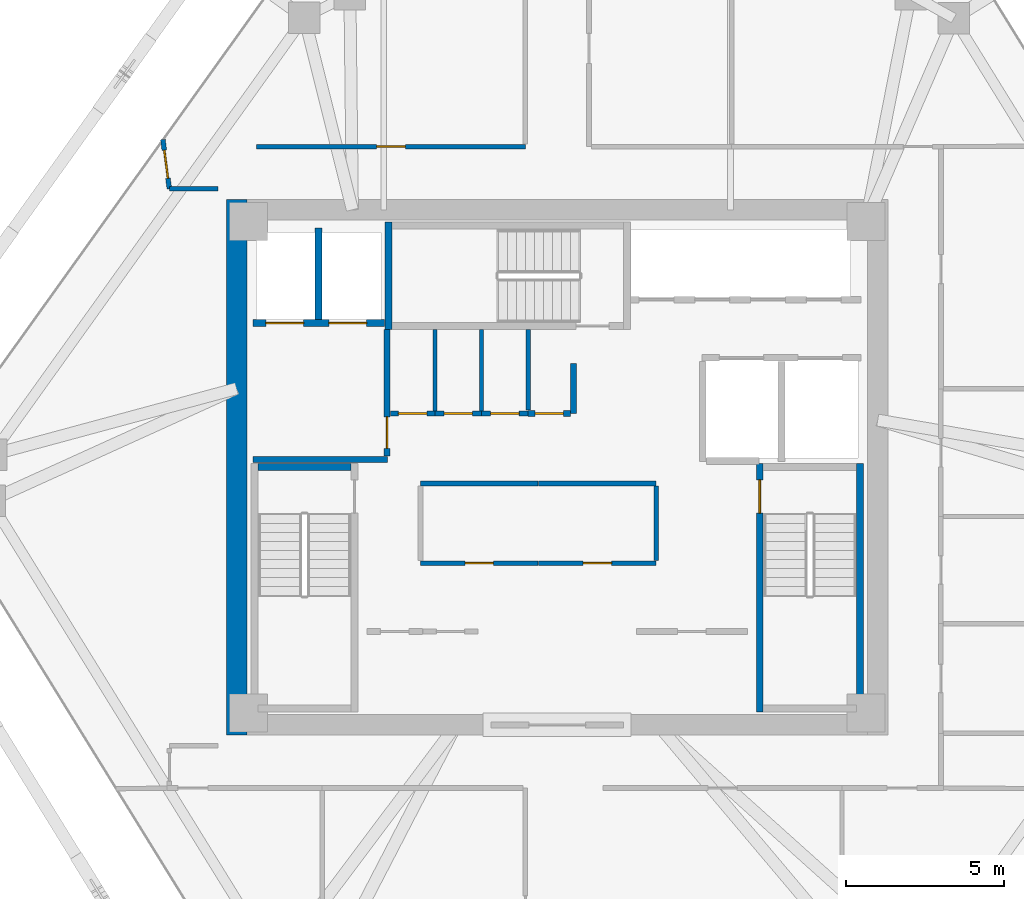
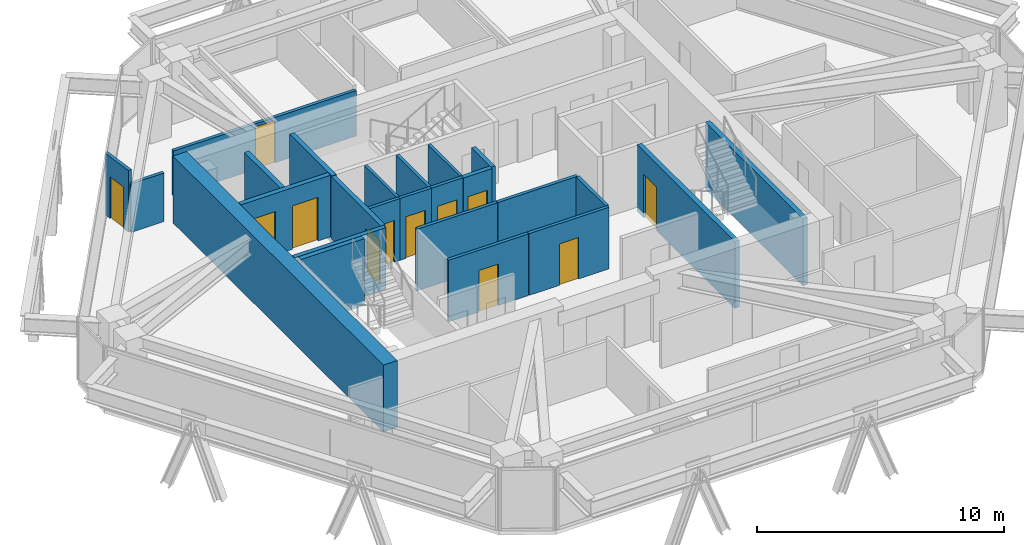
# One storey, part 11 of 14: 25 walls, 12 doors, 12 openings.
"""IFC4 building model written with IfcOpenShell, lengths in metres."""

import ifcopenshell
import ifcopenshell.guid

model = None  # the IFC model being written
_history = None  # IfcOwnerHistory: only IFC2X3 demands one
_inside = {}  # id of a spatial element -> (the spatial element, [elements in it])
_under = {}  # id of a project, library or spatial element -> (it, [spatial elements below it])
_declared = {}  # id of a project -> (the project, [libraries it declares])
_typed = {}  # id of a type object -> (the type object, [elements of that type])
_made_of = {}  # id of a material, layer set ... -> (it, [elements and type objects made of it])


def new_model(schema):
    """Start an empty IFC model of exactly this schema.

    Asked for "IFC4X3", IfcOpenShell would pick the latest addendum, in which some entities
    have other attributes; the version numbers below select the first issue.
    IFC2X3 requires an IfcOwnerHistory on every rooted entity: one is made here for all.
    """
    global model, _history
    if schema == "IFC4X3":
        model = ifcopenshell.file(schema_version=(4, 3, 0, 0))
    else:
        model = ifcopenshell.file(schema=schema)
    _inside.clear()
    _under.clear()
    _declared.clear()
    _typed.clear()
    _made_of.clear()
    _history = None
    if model.schema == "IFC2X3":
        org = make("IfcOrganization", Name="unknown")
        user = make(
            "IfcPersonAndOrganization",
            ThePerson=make("IfcPerson", FamilyName="unknown"),
            TheOrganization=org,
        )
        app = make(
            "IfcApplication",
            ApplicationDeveloper=org,
            Version="unknown",
            ApplicationFullName="unknown",
            ApplicationIdentifier="unknown",
        )
        _history = make(
            "IfcOwnerHistory",
            OwningUser=user,
            OwningApplication=app,
            ChangeAction="ADDED",
            CreationDate=0,
        )
    return model


def make(cls, **values):
    """One entity of the class cls with the attributes given. An attribute that is None is left unset."""
    return model.create_entity(
        cls, **{name: value for name, value in values.items() if value is not None}
    )


def rooted(cls, **values):
    """An entity with a GlobalId (a new one), such as an element, a storey or a relation."""
    return make(cls, GlobalId=ifcopenshell.guid.new(), OwnerHistory=_history, **values)


def si_unit(unit_type, name, prefix=None):
    """IfcSIUnit, for example si_unit("LENGTHUNIT", "METRE", prefix="MILLI")."""
    return make("IfcSIUnit", UnitType=unit_type, Prefix=prefix, Name=name)


def assignment(units):
    """IfcUnitAssignment: the units of a project."""
    return None if units is None else make("IfcUnitAssignment", Units=units)


def point(xyz):
    """IfcCartesianPoint."""
    return None if xyz is None else make("IfcCartesianPoint", Coordinates=xyz)


def direction(xyz):
    """IfcDirection."""
    return None if xyz is None else make("IfcDirection", DirectionRatios=xyz)


def frame(location, z_axis=None, x_axis=None):
    """IfcAxis2Placement3D, a coordinate frame: its origin and axes. An axis left out is left unset."""
    return make(
        "IfcAxis2Placement3D",
        Location=point(location),
        Axis=direction(z_axis),
        RefDirection=direction(x_axis),
    )


def frame_2d(location, x_axis=None):
    """IfcAxis2Placement2D, a coordinate frame in the plane: its origin and x axis."""
    return make(
        "IfcAxis2Placement2D", Location=point(location), RefDirection=direction(x_axis)
    )


def origin():
    """The frame at (0, 0, 0) with its axes left unset."""
    return frame((0.0, 0.0, 0.0))


def place(relative_to, where):
    """IfcLocalPlacement: puts the frame where relative to a parent placement (None: the world)."""
    return make(
        "IfcLocalPlacement", PlacementRelTo=relative_to, RelativePlacement=where
    )


def context(
    kind, dimensions, precision=None, world=None, true_north=None, identifier=None
):
    """IfcGeometricRepresentationContext, for example the 3D "Model" context."""
    return make(
        "IfcGeometricRepresentationContext",
        ContextIdentifier=identifier,
        ContextType=kind,
        CoordinateSpaceDimension=dimensions,
        Precision=precision,
        WorldCoordinateSystem=world,
        TrueNorth=true_north,
    )


def subcontext(parent, identifier, kind, view, scale=None):
    """IfcGeometricRepresentationSubContext, for example "Body" below "Model"."""
    return make(
        "IfcGeometricRepresentationSubContext",
        ContextIdentifier=identifier,
        ContextType=kind,
        ParentContext=parent,
        TargetScale=scale,
        TargetView=view,
    )


def project(units=None, contexts=None):
    """IfcProject with its units and contexts."""
    return rooted(
        "IfcProject",
        Name="project",
        RepresentationContexts=contexts,
        UnitsInContext=assignment(units),
    )


def spatial(cls, under=None, at=None, **own):
    """A site, building, storey or space (cls), placed at a placement, below another one or the project."""
    s = rooted(cls, ObjectPlacement=at, **own)
    if under is not None:
        _under.setdefault(under.id(), (under, []))[1].append(s)
    return s


def profile(cls, at=None, kind="AREA", **sizes):
    """A parametric profile (cls). Its sizes go by their IFC names, for example OverallWidth=200.0."""
    return make(cls, ProfileType=kind, Position=at, **sizes)


def rectangle(**sizes):
    """IfcRectangleProfileDef."""
    return profile("IfcRectangleProfileDef", **sizes)


def extrude(swept, where, along, depth):
    """IfcExtrudedAreaSolid: the profile swept, set in the frame where, extruded along a direction by depth."""
    return make(
        "IfcExtrudedAreaSolid",
        SweptArea=swept,
        Position=where,
        ExtrudedDirection=direction(along),
        Depth=depth,
    )


def shape(context_of_items, identifier, shape_type, items):
    """IfcShapeRepresentation: the items that make up one representation, for example the "Body"."""
    return make(
        "IfcShapeRepresentation",
        ContextOfItems=context_of_items,
        RepresentationIdentifier=identifier,
        RepresentationType=shape_type,
        Items=items,
    )


def source(mapping_origin, context_of_items, identifier, shape_type, items):
    """IfcRepresentationMap: a shape defined once, which mapped items show again and again."""
    return make(
        "IfcRepresentationMap",
        MappingOrigin=mapping_origin,
        MappedRepresentation=shape(context_of_items, identifier, shape_type, items),
    )


def transform(
    local_origin,
    x_axis=None,
    y_axis=None,
    z_axis=None,
    scale=None,
    scale2=None,
    scale3=None,
    uniform=True,
):
    """IfcCartesianTransformationOperator3D, or its non-uniform kind. x_axis, y_axis, z_axis: its Axis1, 2, 3."""
    if uniform:
        return make(
            "IfcCartesianTransformationOperator3D",
            Axis1=direction(x_axis),
            Axis2=direction(y_axis),
            LocalOrigin=point(local_origin),
            Scale=scale,
            Axis3=direction(z_axis),
        )
    return make(
        "IfcCartesianTransformationOperator3DnonUniform",
        Axis1=direction(x_axis),
        Axis2=direction(y_axis),
        LocalOrigin=point(local_origin),
        Scale=scale,
        Axis3=direction(z_axis),
        Scale2=scale2,
        Scale3=scale3,
    )


def mapped(mapping_source, mapping_target):
    """IfcMappedItem: shows the shape of a source again, moved by a transform."""
    return make(
        "IfcMappedItem", MappingSource=mapping_source, MappingTarget=mapping_target
    )


def material(Name=None, Category=None):
    """IfcMaterial."""
    return make("IfcMaterial", Name=Name, Category=Category)


def layer(
    of_material, thickness, ventilated=None, Name=None, Category=None, Priority=None
):
    """IfcMaterialLayer: one layer of a wall or slab, of a material (None: an air gap)."""
    return make(
        "IfcMaterialLayer",
        Material=of_material,
        LayerThickness=thickness,
        IsVentilated=ventilated,
        Name=Name,
        Category=Category,
        Priority=Priority,
    )


def layer_set(layers, Name=None):
    """IfcMaterialLayerSet."""
    return make("IfcMaterialLayerSet", MaterialLayers=layers, LayerSetName=Name)


def made_of(thing, what):
    """Note that an element or type object is made of a material, layer set ...; save() writes the relation."""
    if what is not None:
        _made_of.setdefault(what.id(), (what, []))[1].append(thing)
    return thing


def type_object(cls, material=None, **own):
    """A type object (cls), such as IfcWallType, which elements share."""
    return made_of(rooted(cls, **own), material)


def type_shapes(of_type, sources):
    """Give a type object the sources (RepresentationMaps) that its elements show as mapped items."""
    of_type.RepresentationMaps = sources


def element(
    cls,
    number,
    at=None,
    inside=None,
    cuts=None,
    type_object=None,
    material=None,
    context=None,
    identifier="Body",
    shape_type=None,
    held_by="IfcProductDefinitionShape",
    body=None,
    shapes=None,
    **own,
):
    """One element of the class cls, such as IfcWall. Its Tag is "e" and its number.

    at: its placement. inside: the storey or other place that contains it. cuts: it is an
    opening in that element (IfcRelVoidsElement). A single representation is given by context,
    identifier, shape_type and body (its items); several are given by shapes. held_by: the class
    of the entity that holds the representations. save() writes the other relations.
    """
    e = rooted(cls, Tag="e%d" % number, ObjectPlacement=at, **own)
    if body is not None:
        shapes = [shape(context, identifier, shape_type, body)]
    if shapes is not None:
        e.Representation = make(held_by, Representations=shapes)
    if inside is not None:
        _inside.setdefault(inside.id(), (inside, []))[1].append(e)
    if cuts is not None:
        rooted(
            "IfcRelVoidsElement", RelatingBuildingElement=cuts, RelatedOpeningElement=e
        )
    if type_object is not None:
        _typed.setdefault(type_object.id(), (type_object, []))[1].append(e)
    return made_of(e, material)


def fill(opening, filler):
    """IfcRelFillsElement: the door or window that sits in an opening."""
    return rooted(
        "IfcRelFillsElement",
        RelatingOpeningElement=opening,
        RelatedBuildingElement=filler,
    )


def aggregate(whole, parts):
    """IfcRelAggregates: a whole, such as a stair, and the parts it consists of."""
    return rooted("IfcRelAggregates", RelatingObject=whole, RelatedObjects=parts)


def save(model, path):
    """Write the relations noted so far, then the file.

    IfcRelAggregates (storeys below a building ...), IfcRelContainedInSpatialStructure (elements
    in a storey), IfcRelDefinesByType, IfcRelAssociatesMaterial and IfcRelDeclares: one each for
    every whole, place, type object, material and project.
    """
    for whole, parts in _under.values():
        aggregate(whole, parts)
    for where, things in _inside.values():
        rooted(
            "IfcRelContainedInSpatialStructure",
            RelatedElements=things,
            RelatingStructure=where,
        )
    for kind, things in _typed.values():
        rooted("IfcRelDefinesByType", RelatedObjects=things, RelatingType=kind)
    for what, things in _made_of.values():
        rooted("IfcRelAssociatesMaterial", RelatedObjects=things, RelatingMaterial=what)
    for by, libraries in _declared.values():
        rooted("IfcRelDeclares", RelatingContext=by, RelatedDefinitions=libraries)
    model.write(path)


model = new_model("IFC4")

# Units and contexts
model_context = context("Model", 3, precision=1e-05, world=origin(), true_north=direction((0.0, 1.0)))
body_context = subcontext(model_context, "Body", "Model", "MODEL_VIEW")
ifc_project = project(units=[si_unit("LENGTHUNIT", "METRE"), si_unit("AREAUNIT", "SQUARE_METRE"), si_unit("VOLUMEUNIT", "CUBIC_METRE"), si_unit("PLANEANGLEUNIT", "RADIAN"), si_unit("MASSUNIT", "GRAM", prefix="KILO")], contexts=[model_context])

# Site, building, storey
site_placement = place(None, origin())
site = spatial("IfcSite", under=ifc_project, at=site_placement, CompositionType="ELEMENT")
building_placement = place(site_placement, origin())
building = spatial("IfcBuilding", under=site, at=building_placement, Name="Durnholm Broadcast Tower", CompositionType="ELEMENT")
storey_placement = place(building_placement, frame((0.0, 0.0, 193.60009765625)))
storey = spatial("IfcBuildingStorey", under=building, at=storey_placement, Name="L53", CompositionType="ELEMENT", Elevation=193.60009765625)

# Walls
ifc_material_1 = material(Name="Concrete C70/85", Category="concrete")
ifc_layer_1 = layer(ifc_material_1, 0.64990234375)
ifc_layer_set_1 = layer_set([ifc_layer_1], Name="Concrete C70/85")
wall_type_1 = type_object("IfcWallType", Name="WALL-CW-650", PredefinedType="SHEAR", material=ifc_layer_set_1)
wall_1_placement = place(storey_placement, frame((-10.175048828125, -8.5, 0.0), z_axis=(0.0, 0.0, 1.0), x_axis=(0.0, 1.0, 0.0)))
element("IfcWall", 1, at=wall_1_placement, inside=storey, type_object=wall_type_1, Name="L53 central core shear wall CW-WEST", PredefinedType="SHEAR", context=body_context, shape_type="SweptSolid", body=[
    extrude(rectangle(XDim=17.0, YDim=0.64990234375, at=frame_2d((8.5, 0.0))), origin(), (0.0, 0.0, 1.0), 3.2998046875),
])
ifc_material_2 = material(Name="Fire-Rated Gypsum Shaftwall", Category="concrete")
ifc_layer_2 = layer(ifc_material_2, 0.199951171875)
ifc_layer_set_2 = layer_set([ifc_layer_2], Name="Fire-Rated Gypsum Shaftwall")
wall_type_2 = type_object("IfcWallType", Name="WALL-LOB-200", PredefinedType="SOLIDWALL", material=ifc_layer_set_2)
wall_2_placement = place(storey_placement, frame((-9.64990234375, 0.25, 0.0), z_axis=(0.0, 0.0, 1.0), x_axis=(1.0, 0.0, 0.0)))
element("IfcWall", 2, at=wall_2_placement, inside=storey, type_object=wall_type_2, Name="L53 Fire Service Access Elevator lobby south wall", PredefinedType="SOLIDWALL", context=body_context, shape_type="SweptSolid", body=[
    extrude(rectangle(XDim=4.27001953125, YDim=0.199951171875, at=frame_2d((2.135009765625, 0.0))), origin(), (0.0, 0.0, 1.0), 3.044921875),
])

# Wall, opening, door
wall_3_placement = place(storey_placement, frame((-5.39990234375, 0.35400390625, 0.0), z_axis=(0.0, 0.0, 1.0), x_axis=(0.0, 1.0, 0.0)))
wall_3 = element("IfcWall", 3, at=wall_3_placement, inside=storey, type_object=wall_type_2, Name="L53 Fire Service Access Elevator lobby east fire wall", PredefinedType="SOLIDWALL", context=body_context, shape_type="SweptSolid", body=[
    extrude(rectangle(XDim=4.02587890625, YDim=0.199951171875, at=frame_2d((2.012939453125, 0.0))), origin(), (0.0, 0.0, 1.0), 3.044921875),
])
opening_1_placement = place(wall_3_placement, frame((0.24609375, 0.0, 0.0)))
opening_1 = element("IfcOpeningElement", 4, at=opening_1_placement, cuts=wall_3, Name="Opening DL-60R", PredefinedType="OPENING", context=body_context, shape_type="SweptSolid", body=[
    extrude(rectangle(XDim=1.0, YDim=2.14990234375, at=frame_2d((0.5, 1.074951171875))), frame((0.0, 0.10986328125, 0.0), z_axis=(0.0, -1.0, 0.0), x_axis=(1.0, 0.0, 0.0)), (0.0, 0.0, 1.0), 0.219970703125),
])
ifc_material_3 = material(Name="Fire-Rated Timber/Steel Door", Category="steel")
ifc_layer_3 = layer(ifc_material_3, 0.050048828125)
ifc_layer_set_3 = layer_set([ifc_layer_3], Name="Fire-Rated Timber/Steel Door")
door_type_1 = type_object("IfcDoorType", Name="DOOR-LOB-FD60-R", OperationType="NOTDEFINED", PredefinedType="DOOR", material=ifc_layer_set_3)
shared_shape_1 = source(origin(), body_context, "Body", "SweptSolid", [
    extrude(rectangle(XDim=1.0, YDim=2.14990234375, at=frame_2d((0.5, 1.074951171875))), frame((0.0, 0.02490234375, 0.0), z_axis=(0.0, -1.0, 0.0), x_axis=(1.0, 0.0, 0.0)), (0.0, 0.0, 1.0), 0.050048828125),
])
type_shapes(door_type_1, [shared_shape_1])
door_1_placement = place(opening_1_placement, origin())
door_1 = element("IfcDoor", 5, at=door_1_placement, inside=storey, type_object=door_type_1, Name="L53 Fire Service Access Elevator lobby smoke door", OperationType="SINGLE_SWING_RIGHT", OverallHeight=2.14990234375, OverallWidth=1.0, PredefinedType="DOOR", context=body_context, shape_type="MappedRepresentation", body=[
    mapped(shared_shape_1, transform((0.0, 0.0, 0.0), x_axis=(1.0, 0.0, 0.0), y_axis=(0.0, 1.0, 0.0), z_axis=(0.0, 0.0, 1.0), scale=1.0)),
])
fill(opening_1, door_1)

# Wall
wall_4_placement = place(storey_placement, frame((0.52001953125, 3.300048828125, 0.0), z_axis=(0.0, 0.0, 1.0), x_axis=(0.0, -1.0, 0.0)))
element("IfcWall", 6, at=wall_4_placement, inside=storey, type_object=wall_type_2, Name="L53 Core Signal Sync Room corridor partition", PredefinedType="SOLIDWALL", context=body_context, shape_type="SweptSolid", body=[
    extrude(rectangle(XDim=1.590087890625, YDim=0.199951171875, at=frame_2d((0.794921875, 0.0))), origin(), (0.0, 0.0, 1.0), 3.044921875),
])

# Wall, opening, door
wall_5_placement = place(storey_placement, frame((0.416015625, 1.7099609375, 0.0), z_axis=(0.0, 0.0, 1.0), x_axis=(-1.0, 0.0, 0.0)))
wall_5 = element("IfcWall", 7, at=wall_5_placement, inside=storey, type_object=wall_type_2, Name="L53 Core Signal Sync Room corridor partition", PredefinedType="SOLIDWALL", context=body_context, shape_type="SweptSolid", body=[
    extrude(rectangle(XDim=1.3359375, YDim=0.199951171875, at=frame_2d((0.66796875, 0.0))), origin(), (0.0, 0.0, 1.0), 3.044921875),
])
opening_2_placement = place(wall_5_placement, frame((0.218017578125, 0.0, 0.0)))
opening_2 = element("IfcOpeningElement", 8, at=opening_2_placement, cuts=wall_5, Name="Opening DC-60L", PredefinedType="OPENING", context=body_context, shape_type="SweptSolid", body=[
    extrude(rectangle(XDim=0.89990234375, YDim=2.050048828125, at=frame_2d((0.449951171875, 1.02490234375))), frame((0.0, 0.10986328125, 0.0), z_axis=(0.0, -1.0, 0.0), x_axis=(1.0, 0.0, 0.0)), (0.0, 0.0, 1.0), 0.219970703125),
])
ifc_material_4 = material(Name="Fire-Rated Core Service Door", Category="steel")
ifc_layer_4 = layer(ifc_material_4, 0.050048828125)
ifc_layer_set_4 = layer_set([ifc_layer_4], Name="Fire-Rated Core Service Door")
door_type_2 = type_object("IfcDoorType", Name="DOOR-CORE-FD60-L", OperationType="NOTDEFINED", PredefinedType="DOOR", material=ifc_layer_set_4)
shared_shape_2 = source(origin(), body_context, "Body", "SweptSolid", [
    extrude(rectangle(XDim=0.89990234375, YDim=2.050048828125, at=frame_2d((0.449951171875, 1.02490234375))), frame((0.0, 0.02490234375, 0.0), z_axis=(0.0, -1.0, 0.0), x_axis=(1.0, 0.0, 0.0)), (0.0, 0.0, 1.0), 0.050048828125),
])
type_shapes(door_type_2, [shared_shape_2])
door_2_placement = place(opening_2_placement, origin())
door_2 = element("IfcDoor", 9, at=door_2_placement, inside=storey, type_object=door_type_2, Name="L53 Core Signal Sync Room entrance door", OperationType="SINGLE_SWING_LEFT", OverallHeight=2.050048828125, OverallWidth=0.89990234375, PredefinedType="DOOR", context=body_context, shape_type="MappedRepresentation", body=[
    mapped(shared_shape_2, transform((0.0, 0.0, 0.0), x_axis=(1.0, 0.0, 0.0), y_axis=(0.0, 1.0, 0.0), z_axis=(0.0, 0.0, 1.0), scale=1.0)),
])
fill(opening_2, door_2)

# Walls
ifc_material_5 = material(Name="Gypsum Metal Stud Partition", Category="concrete")
ifc_layer_5 = layer(ifc_material_5, 0.135009765625)
ifc_layer_set_5 = layer_set([ifc_layer_5], Name="Gypsum Metal Stud Partition")
wall_type_3 = type_object("IfcWallType", Name="WALL-PART-135", PredefinedType="PARTITIONING", material=ifc_layer_set_5)
for number, where, z_axis, x_axis, name in (
    (10, (-3.8798828125, 4.375, 0.0), (0.0, 0.0, 1.0), (0.0, -1.0, 0.0), "L53 room dividing partition 6.7"),
    (11, (-2.39990234375, 4.375, 0.0), (0.0, 0.0, 1.0), (0.0, -1.0, 0.0), "L53 room dividing partition 7.8"),
):
    element("IfcWall", number, at=place(storey_placement, frame(where, z_axis=z_axis, x_axis=x_axis)), inside=storey, type_object=wall_type_3, Name=name, PredefinedType="PARTITIONING", context=body_context, shape_type="SweptSolid", body=[
        extrude(rectangle(XDim=2.5859375, YDim=0.135009765625, at=frame_2d((1.29296875, 0.0))), origin(), (0.0, 0.0, 1.0), 3.044921875),
    ])
wall_6_placement = place(storey_placement, frame((-0.919921875, 4.375, 0.0), z_axis=(0.0, 0.0, 1.0), x_axis=(0.0, -1.0, 0.0)))
element("IfcWall", 12, at=wall_6_placement, inside=storey, type_object=wall_type_3, Name="L53 room dividing partition 8.9", PredefinedType="PARTITIONING", context=body_context, shape_type="SweptSolid", body=[
    extrude(rectangle(XDim=2.56103515625, YDim=0.135009765625, at=frame_2d((1.280517578125, 0.0))), origin(), (0.0, 0.0, 1.0), 3.044921875),
])

# Wall, opening, door
ifc_material_6 = material(Name="Acoustic Gypsum Stud Partition", Category="concrete")
ifc_layer_6 = layer(ifc_material_6, 0.14990234375)
ifc_layer_set_6 = layer_set([ifc_layer_6], Name="Acoustic Gypsum Stud Partition")
wall_type_4 = type_object("IfcWallType", Name="WALL-PART-150", PredefinedType="PARTITIONING", material=ifc_layer_set_6)
wall_7_placement = place(storey_placement, frame((-0.610107421875, -3.0400390625, 0.0), z_axis=(0.0, 0.0, 1.0), x_axis=(-1.0, 0.0, 0.0)))
wall_7 = element("IfcWall", 13, at=wall_7_placement, inside=storey, type_object=wall_type_4, Name="L53 Digital Tape Archive Store corridor partition", PredefinedType="PARTITIONING", context=body_context, shape_type="SweptSolid", body=[
    extrude(rectangle(XDim=3.72998046875, YDim=0.14990234375, at=frame_2d((1.864990234375, 0.0))), origin(), (0.0, 0.0, 1.0), 3.044921875),
])
opening_3_placement = place(wall_7_placement, frame((1.4150390625, 0.0, 0.0)))
opening_3 = element("IfcOpeningElement", 14, at=opening_3_placement, cuts=wall_7, Name="Opening DC-60R", PredefinedType="OPENING", context=body_context, shape_type="SweptSolid", body=[
    extrude(rectangle(XDim=0.89990234375, YDim=2.050048828125, at=frame_2d((0.449951171875, 1.02490234375))), frame((0.0, 0.0849609375, 0.0), z_axis=(0.0, -1.0, 0.0), x_axis=(1.0, 0.0, 0.0)), (0.0, 0.0, 1.0), 0.169921875),
])
ifc_layer_7 = layer(ifc_material_4, 0.050048828125)
ifc_layer_set_7 = layer_set([ifc_layer_7], Name="Fire-Rated Core Service Door")
door_type_3 = type_object("IfcDoorType", Name="DOOR-CORE-FD60-R", OperationType="NOTDEFINED", PredefinedType="DOOR", material=ifc_layer_set_7)
shared_shape_3 = source(origin(), body_context, "Body", "SweptSolid", [
    extrude(rectangle(XDim=0.89990234375, YDim=2.050048828125, at=frame_2d((0.449951171875, 1.02490234375))), frame((0.0, 0.02490234375, 0.0), z_axis=(0.0, -1.0, 0.0), x_axis=(1.0, 0.0, 0.0)), (0.0, 0.0, 1.0), 0.050048828125),
])
type_shapes(door_type_3, [shared_shape_3])
door_3_placement = place(opening_3_placement, origin())
door_3 = element("IfcDoor", 15, at=door_3_placement, inside=storey, type_object=door_type_3, Name="L53 Digital Tape Archive Store entrance door", OperationType="SINGLE_SWING_RIGHT", OverallHeight=2.050048828125, OverallWidth=0.89990234375, PredefinedType="DOOR", context=body_context, shape_type="MappedRepresentation", body=[
    mapped(shared_shape_3, transform((0.0, 0.0, 0.0), x_axis=(1.0, 0.0, 0.0), y_axis=(0.0, 1.0, 0.0), z_axis=(0.0, 0.0, 1.0), scale=1.0)),
])
fill(opening_3, door_3)

# Wall
wall_8_placement = place(storey_placement, frame((-4.340087890625, -0.510009765625, 0.0), z_axis=(0.0, 0.0, 1.0), x_axis=(1.0, 0.0, 0.0)))
element("IfcWall", 16, at=wall_8_placement, inside=storey, type_object=wall_type_4, Name="L53 Digital Tape Archive Store corridor partition", PredefinedType="PARTITIONING", context=body_context, shape_type="SweptSolid", body=[
    extrude(rectangle(XDim=3.72998046875, YDim=0.14990234375, at=frame_2d((1.864990234375, 0.0))), origin(), (0.0, 0.0, 1.0), 3.044921875),
])

# Wall, opening, door
wall_9_placement = place(storey_placement, frame((3.139892578125, -3.0400390625, 0.0), z_axis=(0.0, 0.0, 1.0), x_axis=(-1.0, 0.0, 0.0)))
wall_9 = element("IfcWall", 17, at=wall_9_placement, inside=storey, type_object=wall_type_4, Name="L53 High-Rise Refreshment Pantry corridor partition", PredefinedType="PARTITIONING", context=body_context, shape_type="SweptSolid", body=[
    extrude(rectangle(XDim=3.72998046875, YDim=0.14990234375, at=frame_2d((1.864990234375, 0.0))), origin(), (0.0, 0.0, 1.0), 3.044921875),
])
opening_4_placement = place(wall_9_placement, frame((1.4150390625, 0.0, 0.0)))
opening_4 = element("IfcOpeningElement", 18, at=opening_4_placement, cuts=wall_9, Name="Opening DC-60L", PredefinedType="OPENING", context=body_context, shape_type="SweptSolid", body=[
    extrude(rectangle(XDim=0.89990234375, YDim=2.050048828125, at=frame_2d((0.449951171875, 1.02490234375))), frame((0.0, 0.0849609375, 0.0), z_axis=(0.0, -1.0, 0.0), x_axis=(1.0, 0.0, 0.0)), (0.0, 0.0, 1.0), 0.169921875),
])
door_4_placement = place(opening_4_placement, origin())
door_4 = element("IfcDoor", 19, at=door_4_placement, inside=storey, type_object=door_type_2, Name="L53 High-Rise Refreshment Pantry entrance door", OperationType="SINGLE_SWING_LEFT", OverallHeight=2.050048828125, OverallWidth=0.89990234375, PredefinedType="DOOR", context=body_context, shape_type="MappedRepresentation", body=[
    mapped(shared_shape_2, transform((0.0, 0.0, 0.0), x_axis=(1.0, 0.0, 0.0), y_axis=(0.0, 1.0, 0.0), z_axis=(0.0, 0.0, 1.0), scale=1.0)),
])
fill(opening_4, door_4)

# Walls
wall_10_placement = place(storey_placement, frame((-0.590087890625, -0.510009765625, 0.0), z_axis=(0.0, 0.0, 1.0), x_axis=(1.0, 0.0, 0.0)))
element("IfcWall", 20, at=wall_10_placement, inside=storey, type_object=wall_type_4, Name="L53 High-Rise Refreshment Pantry corridor partition", PredefinedType="PARTITIONING", context=body_context, shape_type="SweptSolid", body=[
    extrude(rectangle(XDim=3.72998046875, YDim=0.14990234375, at=frame_2d((1.864990234375, 0.0))), origin(), (0.0, 0.0, 1.0), 3.044921875),
])
wall_11_placement = place(storey_placement, frame((3.139892578125, -0.589111328125, 0.0), z_axis=(0.0, 0.0, 1.0), x_axis=(0.0, -1.0, 0.0)))
element("IfcWall", 21, at=wall_11_placement, inside=storey, type_object=wall_type_4, Name="L53 High-Rise Refreshment Pantry corridor partition", PredefinedType="PARTITIONING", context=body_context, shape_type="SweptSolid", body=[
    extrude(rectangle(XDim=2.371826171875, YDim=0.14990234375, at=frame_2d((1.18603515625, 0.0))), origin(), (0.0, 0.0, 1.0), 3.044921875),
])

# Wall, opening, door
wall_12_placement = place(storey_placement, frame((-3.8798828125, 1.7099609375, 0.0), z_axis=(0.0, 0.0, 1.0), x_axis=(-1.0, 0.0, 0.0)))
wall_12 = element("IfcWall", 22, at=wall_12_placement, inside=storey, type_object=wall_type_4, Name="L53 Core First Aid Store corridor partition", PredefinedType="PARTITIONING", context=body_context, shape_type="SweptSolid", body=[
    extrude(rectangle(XDim=1.416015625, YDim=0.14990234375, at=frame_2d((0.7080078125, 0.0))), origin(), (0.0, 0.0, 1.0), 3.044921875),
])
opening_5_placement = place(wall_12_placement, frame((0.258056640625, 0.0, 0.0)))
opening_5 = element("IfcOpeningElement", 23, at=opening_5_placement, cuts=wall_12, Name="Opening DC-60R", PredefinedType="OPENING", context=body_context, shape_type="SweptSolid", body=[
    extrude(rectangle(XDim=0.89990234375, YDim=2.050048828125, at=frame_2d((0.449951171875, 1.02490234375))), frame((0.0, 0.0849609375, 0.0), z_axis=(0.0, -1.0, 0.0), x_axis=(1.0, 0.0, 0.0)), (0.0, 0.0, 1.0), 0.169921875),
])
door_5_placement = place(opening_5_placement, origin())
door_5 = element("IfcDoor", 24, at=door_5_placement, inside=storey, type_object=door_type_3, Name="L53 Core First Aid Store entrance door", OperationType="SINGLE_SWING_RIGHT", OverallHeight=2.050048828125, OverallWidth=0.89990234375, PredefinedType="DOOR", context=body_context, shape_type="MappedRepresentation", body=[
    mapped(shared_shape_3, transform((0.0, 0.0, 0.0), x_axis=(1.0, 0.0, 0.0), y_axis=(0.0, 1.0, 0.0), z_axis=(0.0, 0.0, 1.0), scale=1.0)),
])
fill(opening_5, door_5)

wall_13_placement = place(storey_placement, frame((-2.39990234375, 1.7099609375, 0.0), z_axis=(0.0, 0.0, 1.0), x_axis=(-1.0, 0.0, 0.0)))
wall_13 = element("IfcWall", 25, at=wall_13_placement, inside=storey, type_object=wall_type_4, Name="L53 Core Linen Supply Closet corridor partition", PredefinedType="PARTITIONING", context=body_context, shape_type="SweptSolid", body=[
    extrude(rectangle(XDim=1.47998046875, YDim=0.14990234375, at=frame_2d((0.739990234375, 0.0))), origin(), (0.0, 0.0, 1.0), 3.044921875),
])
opening_6_placement = place(wall_13_placement, frame((0.2900390625, 0.0, 0.0)))
opening_6 = element("IfcOpeningElement", 26, at=opening_6_placement, cuts=wall_13, Name="Opening DC-60L", PredefinedType="OPENING", context=body_context, shape_type="SweptSolid", body=[
    extrude(rectangle(XDim=0.89990234375, YDim=2.050048828125, at=frame_2d((0.449951171875, 1.02490234375))), frame((0.0, 0.0849609375, 0.0), z_axis=(0.0, -1.0, 0.0), x_axis=(1.0, 0.0, 0.0)), (0.0, 0.0, 1.0), 0.169921875),
])
door_6_placement = place(opening_6_placement, origin())
door_6 = element("IfcDoor", 27, at=door_6_placement, inside=storey, type_object=door_type_2, Name="L53 Core Linen Supply Closet entrance door", OperationType="SINGLE_SWING_LEFT", OverallHeight=2.050048828125, OverallWidth=0.89990234375, PredefinedType="DOOR", context=body_context, shape_type="MappedRepresentation", body=[
    mapped(shared_shape_2, transform((0.0, 0.0, 0.0), x_axis=(1.0, 0.0, 0.0), y_axis=(0.0, 1.0, 0.0), z_axis=(0.0, 0.0, 1.0), scale=1.0)),
])
fill(opening_6, door_6)

wall_14_placement = place(storey_placement, frame((-0.919921875, 1.7099609375, 0.0), z_axis=(0.0, 0.0, 1.0), x_axis=(-1.0, 0.0, 0.0)))
wall_14 = element("IfcWall", 28, at=wall_14_placement, inside=storey, type_object=wall_type_4, Name="L53 Core Safety Gear Store corridor partition", PredefinedType="PARTITIONING", context=body_context, shape_type="SweptSolid", body=[
    extrude(rectangle(XDim=1.47998046875, YDim=0.14990234375, at=frame_2d((0.739990234375, 0.0))), origin(), (0.0, 0.0, 1.0), 3.044921875),
])
opening_7_placement = place(wall_14_placement, frame((0.2900390625, 0.0, 0.0)))
opening_7 = element("IfcOpeningElement", 29, at=opening_7_placement, cuts=wall_14, Name="Opening DC-60R", PredefinedType="OPENING", context=body_context, shape_type="SweptSolid", body=[
    extrude(rectangle(XDim=0.89990234375, YDim=2.050048828125, at=frame_2d((0.449951171875, 1.02490234375))), frame((0.0, 0.0849609375, 0.0), z_axis=(0.0, -1.0, 0.0), x_axis=(1.0, 0.0, 0.0)), (0.0, 0.0, 1.0), 0.169921875),
])
door_7_placement = place(opening_7_placement, origin())
door_7 = element("IfcDoor", 30, at=door_7_placement, inside=storey, type_object=door_type_3, Name="L53 Core Safety Gear Store entrance door", OperationType="SINGLE_SWING_RIGHT", OverallHeight=2.050048828125, OverallWidth=0.89990234375, PredefinedType="DOOR", context=body_context, shape_type="MappedRepresentation", body=[
    mapped(shared_shape_3, transform((0.0, 0.0, 0.0), x_axis=(1.0, 0.0, 0.0), y_axis=(0.0, 1.0, 0.0), z_axis=(0.0, 0.0, 1.0), scale=1.0)),
])
fill(opening_7, door_7)

wall_15_placement = place(storey_placement, frame((-1.010009765625, 10.179931640625, 0.0), z_axis=(0.0, 0.0, 1.0), x_axis=(-1.0, 0.0, 0.0)))
wall_15 = element("IfcWall", 31, at=wall_15_placement, inside=storey, type_object=wall_type_4, Name="L53 Open Plan Broadcast Workspace 2 corridor partition", PredefinedType="PARTITIONING", context=body_context, shape_type="SweptSolid", body=[
    extrude(rectangle(XDim=8.530029296875, YDim=0.14990234375, at=frame_2d((4.26513671875, 0.0))), origin(), (0.0, 0.0, 1.0), 2.24169921875),
])
opening_8_placement = place(wall_15_placement, frame((3.804931640625, 0.0, 0.0)))
opening_8 = element("IfcOpeningElement", 32, at=opening_8_placement, cuts=wall_15, Name="Opening DR-92L", PredefinedType="OPENING", context=body_context, shape_type="SweptSolid", body=[
    extrude(rectangle(XDim=0.919921875, YDim=2.10009765625, at=frame_2d((0.4599609375, 1.050048828125))), frame((0.0, 0.0849609375, 0.0), z_axis=(0.0, -1.0, 0.0), x_axis=(1.0, 0.0, 0.0)), (0.0, 0.0, 1.0), 0.169921875),
])
ifc_material_7 = material(Name="Oak Veneer Office Door", Category="wood")
ifc_layer_8 = layer(ifc_material_7, 0.050048828125)
ifc_layer_set_8 = layer_set([ifc_layer_8], Name="Oak Veneer Office Door")
door_type_4 = type_object("IfcDoorType", Name="DOOR-RM-920L", OperationType="NOTDEFINED", PredefinedType="DOOR", material=ifc_layer_set_8)
shared_shape_4 = source(origin(), body_context, "Body", "SweptSolid", [
    extrude(rectangle(XDim=0.919921875, YDim=2.10009765625, at=frame_2d((0.4599609375, 1.050048828125))), frame((0.0, 0.02490234375, 0.0), z_axis=(0.0, -1.0, 0.0), x_axis=(1.0, 0.0, 0.0)), (0.0, 0.0, 1.0), 0.050048828125),
])
type_shapes(door_type_4, [shared_shape_4])
door_8_placement = place(opening_8_placement, origin())
door_8 = element("IfcDoor", 33, at=door_8_placement, inside=storey, type_object=door_type_4, Name="L53 Open Plan Broadcast Workspace 2 entrance door", OperationType="SINGLE_SWING_LEFT", OverallHeight=2.10009765625, OverallWidth=0.919921875, PredefinedType="DOOR", context=body_context, shape_type="MappedRepresentation", body=[
    mapped(shared_shape_4, transform((0.0, 0.0, 0.0), x_axis=(1.0, 0.0, 0.0), y_axis=(0.0, 1.0, 0.0), z_axis=(0.0, 0.0, 1.0), scale=1.0)),
])
fill(opening_8, door_8)

# Wall
wall_16_placement = place(storey_placement, frame((-12.31005859375, 8.840087890625, 0.0), z_axis=(0.0, 0.0, 1.0), x_axis=(1.0, 0.0, 0.0)))
element("IfcWall", 34, at=wall_16_placement, inside=storey, type_object=wall_type_4, Name="L53 Typography Meeting Room 1 corridor partition", PredefinedType="PARTITIONING", context=body_context, shape_type="SweptSolid", body=[
    extrude(rectangle(XDim=1.550048828125, YDim=0.14990234375, at=frame_2d((0.77490234375, 0.0))), origin(), (0.0, 0.0, 1.0), 2.398681640625),
])

# Wall, opening, door
wall_17_placement = place(storey_placement, frame((-12.514404296875, 10.40625, 0.0), z_axis=(0.0, 0.0, 1.0), x_axis=(0.129378833178, -0.991595238757, 0.0)))
wall_17 = element("IfcWall", 35, at=wall_17_placement, inside=storey, type_object=wall_type_4, Name="L53 Typography Meeting Room 1 corridor partition", PredefinedType="PARTITIONING", context=body_context, shape_type="SweptSolid", body=[
    extrude(rectangle(XDim=1.579345703125, YDim=0.14990234375, at=frame_2d((0.78955078125, 0.0))), origin(), (0.0, 0.0, 1.0), 3.044921875),
])
opening_9_placement = place(wall_17_placement, frame((0.33984375, 0.0, 0.0)))
opening_9 = element("IfcOpeningElement", 36, at=opening_9_placement, cuts=wall_17, Name="Opening DW-90R", PredefinedType="OPENING", context=body_context, shape_type="SweptSolid", body=[
    extrude(rectangle(XDim=0.89990234375, YDim=2.050048828125, at=frame_2d((0.449951171875, 1.02490234375))), frame((0.0, 0.0849609375, 0.0), z_axis=(0.0, -1.0, 0.0), x_axis=(1.0, 0.0, 0.0)), (0.0, 0.0, 1.0), 0.169921875),
])
ifc_material_8 = material(Name="Laminate Restroom Door", Category="steel")
ifc_layer_9 = layer(ifc_material_8, 0.050048828125)
ifc_layer_set_9 = layer_set([ifc_layer_9], Name="Laminate Restroom Door")
door_type_5 = type_object("IfcDoorType", Name="DOOR-WC-900R", OperationType="NOTDEFINED", PredefinedType="DOOR", material=ifc_layer_set_9)
shared_shape_5 = source(origin(), body_context, "Body", "SweptSolid", [
    extrude(rectangle(XDim=0.89990234375, YDim=2.050048828125, at=frame_2d((0.449951171875, 1.02490234375))), frame((0.0, 0.02490234375, 0.0), z_axis=(0.0, -1.0, 0.0), x_axis=(1.0, 0.0, 0.0)), (0.0, 0.0, 1.0), 0.050048828125),
])
type_shapes(door_type_5, [shared_shape_5])
door_9_placement = place(opening_9_placement, origin())
door_9 = element("IfcDoor", 37, at=door_9_placement, inside=storey, type_object=door_type_5, Name="L53 Typography Meeting Room 1 entrance door", OperationType="SINGLE_SWING_RIGHT", OverallHeight=2.050048828125, OverallWidth=0.89990234375, PredefinedType="DOOR", context=body_context, shape_type="MappedRepresentation", body=[
    mapped(shared_shape_5, transform((0.0, 0.0, 0.0), x_axis=(1.0, 0.0, 0.0), y_axis=(0.0, 1.0, 0.0), z_axis=(0.0, 0.0, 1.0), scale=1.0)),
])
fill(opening_9, door_9)

# Wall, openings, doors
ifc_material_9 = material(Name="Concrete Blockwork C30/37", Category="masonry")
ifc_layer_10 = layer(ifc_material_9, 0.219970703125)
ifc_layer_set_10 = layer_set([ifc_layer_10], Name="Concrete Blockwork C30/37")
wall_type_5 = type_object("IfcWallType", Name="WALL-SHAFT-220", PredefinedType="SOLIDWALL", material=ifc_layer_set_10)
wall_18_placement = place(storey_placement, frame((-9.64990234375, 4.580078125, 0.0), z_axis=(0.0, 0.0, 1.0), x_axis=(1.0, 0.0, 0.0)))
wall_18 = element("IfcWall", 38, at=wall_18_placement, inside=storey, type_object=wall_type_5, Name="L53 FSAE hoistway front fire wall", PredefinedType="SOLIDWALL", context=body_context, shape_type="SweptSolid", body=[
    extrude(rectangle(XDim=4.1748046875, YDim=0.219970703125, at=frame_2d((2.08740234375, 0.0))), origin(), (0.0, 0.0, 1.0), 3.044921875),
])
opening_10_placement = place(wall_18_placement, frame((0.39990234375, 0.0, 0.0)))
opening_10 = element("IfcOpeningElement", 39, at=opening_10_placement, cuts=wall_18, Name="Opening LD-FSAE-2", PredefinedType="OPENING", context=body_context, shape_type="SweptSolid", body=[
    extrude(rectangle(XDim=1.199951171875, YDim=2.14990234375, at=frame_2d((0.60009765625, 1.074951171875))), frame((0.0, 0.1201171875, 0.0), z_axis=(0.0, -1.0, 0.0), x_axis=(1.0, 0.0, 0.0)), (0.0, 0.0, 1.0), 0.239990234375),
])
opening_11_placement = place(wall_18_placement, frame((2.39990234375, 0.0, 0.0)))
opening_11 = element("IfcOpeningElement", 40, at=opening_11_placement, cuts=wall_18, Name="Opening LD-FSAE-1", PredefinedType="OPENING", context=body_context, shape_type="SweptSolid", body=[
    extrude(rectangle(XDim=1.199951171875, YDim=2.14990234375, at=frame_2d((0.60009765625, 1.074951171875))), frame((0.0, 0.1201171875, 0.0), z_axis=(0.0, -1.0, 0.0), x_axis=(1.0, 0.0, 0.0)), (0.0, 0.0, 1.0), 0.239990234375),
])
ifc_material_10 = material(Name="Fire Service Access Sliding Landing Door", Category="steel")
ifc_layer_11 = layer(ifc_material_10, 0.050048828125)
ifc_layer_set_11 = layer_set([ifc_layer_11], Name="Fire Service Access Sliding Landing Door")
door_type_6 = type_object("IfcDoorType", Name="DOOR-LIFT-FSAE", OperationType="DOUBLE_DOOR_SLIDING", PredefinedType="DOOR", material=ifc_layer_set_11)
shared_shape_6 = source(origin(), body_context, "Body", "SweptSolid", [
    extrude(rectangle(XDim=1.199951171875, YDim=2.14990234375, at=frame_2d((0.60009765625, 1.074951171875))), frame((0.0, 0.02490234375, 0.0), z_axis=(0.0, -1.0, 0.0), x_axis=(1.0, 0.0, 0.0)), (0.0, 0.0, 1.0), 0.050048828125),
])
type_shapes(door_type_6, [shared_shape_6])
door_10_placement = place(opening_10_placement, origin())
door_10 = element("IfcDoor", 41, at=door_10_placement, inside=storey, type_object=door_type_6, Name="L53 Fire Service Access Elevator FSAE-2 sliding landing door", OperationType="DOUBLE_DOOR_SLIDING", OverallHeight=2.14990234375, OverallWidth=1.199951171875, PredefinedType="DOOR", context=body_context, shape_type="MappedRepresentation", body=[
    mapped(shared_shape_6, transform((0.0, 0.0, 0.0), x_axis=(1.0, 0.0, 0.0), y_axis=(0.0, 1.0, 0.0), z_axis=(0.0, 0.0, 1.0), scale=1.0)),
])
fill(opening_10, door_10)
door_11_placement = place(opening_11_placement, origin())
door_11 = element("IfcDoor", 42, at=door_11_placement, inside=storey, type_object=door_type_6, Name="L53 Fire Service Access Elevator FSAE-1 sliding landing door", OperationType="DOUBLE_DOOR_SLIDING", OverallHeight=2.14990234375, OverallWidth=1.199951171875, PredefinedType="DOOR", context=body_context, shape_type="MappedRepresentation", body=[
    mapped(shared_shape_6, transform((0.0, 0.0, 0.0), x_axis=(1.0, 0.0, 0.0), y_axis=(0.0, 1.0, 0.0), z_axis=(0.0, 0.0, 1.0), scale=1.0)),
])
fill(opening_11, door_11)

# Walls
wall_19_placement = place(storey_placement, frame((-7.580078125, 4.694091796875, 0.0), z_axis=(0.0, 0.0, 1.0), x_axis=(0.0, 1.0, 0.0)))
element("IfcWall", 43, at=wall_19_placement, inside=storey, type_object=wall_type_5, Name="L53 FSAE shaft divider wall", PredefinedType="SOLIDWALL", context=body_context, shape_type="SweptSolid", body=[
    extrude(rectangle(XDim=2.906005859375, YDim=0.219970703125, at=frame_2d((1.453125, 0.0))), origin(), (0.0, 0.0, 1.0), 3.044921875),
])
ifc_material_11 = material(Name="Concrete C50/60", Category="concrete")
ifc_layer_12 = layer(ifc_material_11, 0.219970703125)
ifc_layer_set_12 = layer_set([ifc_layer_12], Name="Concrete C50/60")
wall_type_6 = type_object("IfcWallType", Name="WALL-SW-220", PredefinedType="SHEAR", material=ifc_layer_set_12)
wall_20_placement = place(storey_placement, frame((-6.5400390625, 0.010009765625, -0.239990234375), z_axis=(0.0, 0.0, 1.0), x_axis=(-1.0, 0.0, 0.0)))
element("IfcWall", 44, at=wall_20_placement, inside=storey, type_object=wall_type_6, Name="L53 stair ST-1 structural shaft wall N", PredefinedType="SHEAR", context=body_context, shape_type="SweptSolid", body=[
    extrude(rectangle(XDim=2.9599609375, YDim=0.219970703125, at=frame_2d((1.47998046875, 0.0))), origin(), (0.0, 0.0, 1.0), 3.2998046875),
])
wall_21_placement = place(storey_placement, frame((9.610107421875, -7.77001953125, -0.239990234375), z_axis=(0.0, 0.0, 1.0), x_axis=(0.0, 1.0, 0.0)))
element("IfcWall", 45, at=wall_21_placement, inside=storey, type_object=wall_type_6, Name="L53 stair ST-2 structural shaft wall E", PredefinedType="SHEAR", context=body_context, shape_type="SweptSolid", body=[
    extrude(rectangle(XDim=7.89013671875, YDim=0.219970703125, at=frame_2d((3.945068359375, 0.0))), origin(), (0.0, 0.0, 1.0), 3.2998046875),
])

# Wall, opening, door
wall_22_placement = place(storey_placement, frame((6.429931640625, 0.1201171875, -0.239990234375), z_axis=(0.0, 0.0, 1.0), x_axis=(0.0, -1.0, 0.0)))
wall_22 = element("IfcWall", 46, at=wall_22_placement, inside=storey, type_object=wall_type_6, Name="L53 stair ST-2 structural shaft wall W", PredefinedType="SHEAR", context=body_context, shape_type="SweptSolid", body=[
    extrude(rectangle(XDim=7.89013671875, YDim=0.219970703125, at=frame_2d((3.945068359375, 0.0))), origin(), (0.0, 0.0, 1.0), 3.2998046875),
])
opening_12_placement = place(wall_22_placement, frame((0.52001953125, 0.0, 0.0)))
opening_12 = element("IfcOpeningElement", 47, at=opening_12_placement, cuts=wall_22, Name="Opening DS-90R", PredefinedType="OPENING", context=body_context, shape_type="SweptSolid", body=[
    extrude(rectangle(XDim=1.050048828125, YDim=2.14990234375, at=frame_2d((0.52490234375, 1.074951171875))), frame((0.0, 0.1201171875, 0.0), z_axis=(0.0, -1.0, 0.0), x_axis=(1.0, 0.0, 0.0)), (0.0, 0.0, 1.0), 0.239990234375),
])
ifc_material_12 = material(Name="Fire-Rated Steel Door", Category="steel")
ifc_layer_13 = layer(ifc_material_12, 0.050048828125)
ifc_layer_set_13 = layer_set([ifc_layer_13], Name="Fire-Rated Steel Door")
door_type_7 = type_object("IfcDoorType", Name="DOOR-ST-FD90-R", OperationType="NOTDEFINED", PredefinedType="DOOR", material=ifc_layer_set_13)
shared_shape_7 = source(origin(), body_context, "Body", "SweptSolid", [
    extrude(rectangle(XDim=1.050048828125, YDim=2.14990234375, at=frame_2d((0.52490234375, 1.074951171875))), frame((0.0, 0.02490234375, 0.0), z_axis=(0.0, -1.0, 0.0), x_axis=(1.0, 0.0, 0.0)), (0.0, 0.0, 1.0), 0.050048828125),
])
type_shapes(door_type_7, [shared_shape_7])
door_12_placement = place(opening_12_placement, origin())
door_12 = element("IfcDoor", 48, at=door_12_placement, inside=storey, type_object=door_type_7, Name="L53 exit stair ST-2 fire door", OperationType="SINGLE_SWING_RIGHT", OverallHeight=2.14990234375, OverallWidth=1.050048828125, PredefinedType="DOOR", context=body_context, shape_type="MappedRepresentation", body=[
    mapped(shared_shape_7, transform((0.0, 0.0, 0.0), x_axis=(1.0, 0.0, 0.0), y_axis=(0.0, 1.0, 0.0), z_axis=(0.0, 0.0, 1.0), scale=1.0)),
])
fill(opening_12, door_12)

# Wall
wall_23_placement = place(storey_placement, frame((-5.360107421875, 7.780029296875, -0.239990234375), z_axis=(0.0, 0.0, 1.0), x_axis=(0.0, -1.0, 0.0)))
element("IfcWall", 49, at=wall_23_placement, inside=storey, type_object=wall_type_6, Name="L53 stair ST-3 structural shaft wall W", PredefinedType="SHEAR", context=body_context, shape_type="SweptSolid", body=[
    extrude(rectangle(XDim=3.400146484375, YDim=0.219970703125, at=frame_2d((1.7001953125, 0.0))), origin(), (0.0, 0.0, 1.0), 3.2998046875),
])

save(model, "model.ifc")
